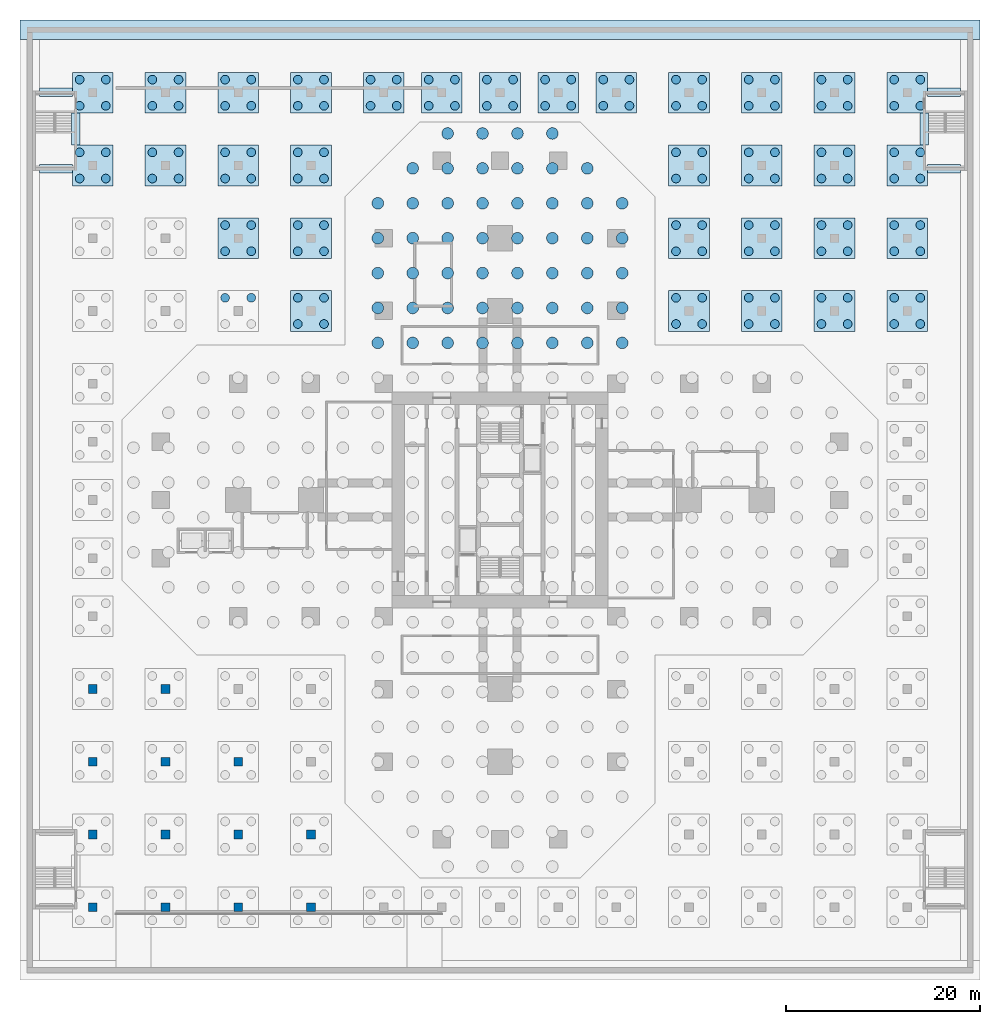
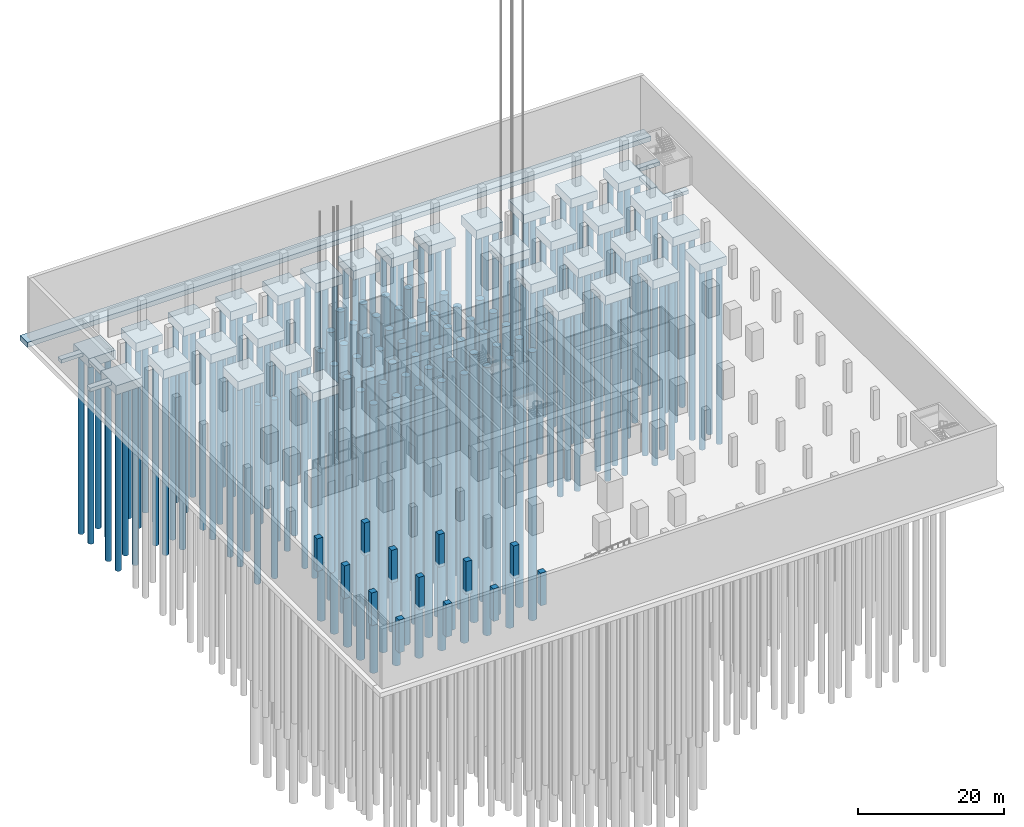
# One storey, part 3 of 31: 180 piles, 39 footings, 13 columns.
"""IFC4 building model written with IfcOpenShell, lengths in metres."""

from ifc_helpers import new_model, si_unit, direction, frame, origin, origin_2d, place, context, subcontext, project, spatial, rectangle, circle, extrude, material, layer, layer_set, material_profile, profile_set, type_object, element, save


model = new_model("IFC4")

# Units and contexts
model_context = context("Model", 3, precision=1e-05, world=origin(), true_north=direction((0.0, 1.0)))
body_context = subcontext(model_context, "Body", "Model", "MODEL_VIEW")
ifc_project = project(units=[si_unit("LENGTHUNIT", "METRE"), si_unit("AREAUNIT", "SQUARE_METRE"), si_unit("VOLUMEUNIT", "CUBIC_METRE"), si_unit("PLANEANGLEUNIT", "RADIAN"), si_unit("MASSUNIT", "GRAM", prefix="KILO")], contexts=[model_context])

# Site, building, storey
site_placement = place(None, origin())
site = spatial("IfcSite", under=ifc_project, at=site_placement, CompositionType="ELEMENT")
building_placement = place(site_placement, origin())
building = spatial("IfcBuilding", under=site, at=building_placement, Name="Mizan Broadcast Tower", CompositionType="ELEMENT")
storey_placement = place(building_placement, frame((0.0, 0.0, -10.0)))
storey = spatial("IfcBuildingStorey", under=building, at=storey_placement, Name="B2", CompositionType="ELEMENT", Elevation=-10.0)

# Piles
ifc_material_1 = material(Name="Concrete C40/50", Category="concrete")
ifc_material_profile_1 = material_profile(ifc_material_1, circle(Radius=0.60009765625, at=origin_2d()), Name="D1200")
ifc_profile_set_1 = profile_set([ifc_material_profile_1], Name="Concrete C40/50")
pile_type_1 = type_object("IfcPileType", Name="BORED PILE D1200", PredefinedType="BORED", material=ifc_profile_set_1)
for number, where, z_axis, x_axis, name in (
    (1, (-12.60009765625, 16.199951171875, -4.5), (0.0, 0.0, -1.0), (1.0, 0.0, 0.0), "Bored pile P1-215"),
    (2, (-9.0, 16.199951171875, -4.5), (0.0, 0.0, -1.0), (1.0, 0.0, 0.0), "Bored pile P1-216"),
    (3, (-5.39990234375, 16.199951171875, -4.5), (0.0, 0.0, -1.0), (1.0, 0.0, 0.0), "Bored pile P1-217"),
    (4, (-1.800048828125, 16.199951171875, -4.5), (0.0, 0.0, -1.0), (1.0, 0.0, 0.0), "Bored pile P1-218"),
    (5, (1.800048828125, 16.199951171875, -4.5), (0.0, 0.0, -1.0), (1.0, 0.0, 0.0), "Bored pile P1-219"),
    (6, (5.39990234375, 16.199951171875, -4.5), (0.0, 0.0, -1.0), (1.0, 0.0, 0.0), "Bored pile P1-220"),
    (7, (9.0, 16.199951171875, -4.5), (0.0, 0.0, -1.0), (1.0, 0.0, 0.0), "Bored pile P1-221"),
    (8, (12.60009765625, 16.199951171875, -4.5), (0.0, 0.0, -1.0), (1.0, 0.0, 0.0), "Bored pile P1-222"),
    (9, (-12.60009765625, 19.800048828125, -4.5), (0.0, 0.0, -1.0), (1.0, 0.0, 0.0), "Bored pile P1-223"),
    (10, (-9.0, 19.800048828125, -4.5), (0.0, 0.0, -1.0), (1.0, 0.0, 0.0), "Bored pile P1-224"),
    (11, (-5.39990234375, 19.800048828125, -4.5), (0.0, 0.0, -1.0), (1.0, 0.0, 0.0), "Bored pile P1-225"),
    (12, (-1.800048828125, 19.800048828125, -4.5), (0.0, 0.0, -1.0), (1.0, 0.0, 0.0), "Bored pile P1-226"),
    (13, (1.800048828125, 19.800048828125, -4.5), (0.0, 0.0, -1.0), (1.0, 0.0, 0.0), "Bored pile P1-227"),
    (14, (5.39990234375, 19.800048828125, -4.5), (0.0, 0.0, -1.0), (1.0, 0.0, 0.0), "Bored pile P1-228"),
    (15, (9.0, 19.800048828125, -4.5), (0.0, 0.0, -1.0), (1.0, 0.0, 0.0), "Bored pile P1-229"),
    (16, (12.60009765625, 19.800048828125, -4.5), (0.0, 0.0, -1.0), (1.0, 0.0, 0.0), "Bored pile P1-230"),
    (17, (-12.60009765625, 23.39990234375, -4.5), (0.0, 0.0, -1.0), (1.0, 0.0, 0.0), "Bored pile P1-231"),
    (18, (-9.0, 23.39990234375, -4.5), (0.0, 0.0, -1.0), (1.0, 0.0, 0.0), "Bored pile P1-232"),
    (19, (-5.39990234375, 23.39990234375, -4.5), (0.0, 0.0, -1.0), (1.0, 0.0, 0.0), "Bored pile P1-233"),
    (20, (-1.800048828125, 23.39990234375, -4.5), (0.0, 0.0, -1.0), (1.0, 0.0, 0.0), "Bored pile P1-234"),
    (21, (1.800048828125, 23.39990234375, -4.5), (0.0, 0.0, -1.0), (1.0, 0.0, 0.0), "Bored pile P1-235"),
    (22, (5.39990234375, 23.39990234375, -4.5), (0.0, 0.0, -1.0), (1.0, 0.0, 0.0), "Bored pile P1-236"),
    (23, (9.0, 23.39990234375, -4.5), (0.0, 0.0, -1.0), (1.0, 0.0, 0.0), "Bored pile P1-237"),
    (24, (12.60009765625, 23.39990234375, -4.5), (0.0, 0.0, -1.0), (1.0, 0.0, 0.0), "Bored pile P1-238"),
    (25, (-12.60009765625, 27.0, -4.5), (0.0, 0.0, -1.0), (1.0, 0.0, 0.0), "Bored pile P1-239"),
    (26, (-9.0, 27.0, -4.5), (0.0, 0.0, -1.0), (1.0, 0.0, 0.0), "Bored pile P1-240"),
    (27, (-5.39990234375, 27.0, -4.5), (0.0, 0.0, -1.0), (1.0, 0.0, 0.0), "Bored pile P1-241"),
    (28, (-1.800048828125, 27.0, -4.5), (0.0, 0.0, -1.0), (1.0, 0.0, 0.0), "Bored pile P1-242"),
    (29, (1.800048828125, 27.0, -4.5), (0.0, 0.0, -1.0), (1.0, 0.0, 0.0), "Bored pile P1-243"),
    (30, (5.39990234375, 27.0, -4.5), (0.0, 0.0, -1.0), (1.0, 0.0, 0.0), "Bored pile P1-244"),
    (31, (9.0, 27.0, -4.5), (0.0, 0.0, -1.0), (1.0, 0.0, 0.0), "Bored pile P1-245"),
    (32, (12.60009765625, 27.0, -4.5), (0.0, 0.0, -1.0), (1.0, 0.0, 0.0), "Bored pile P1-246"),
    (33, (-12.60009765625, 30.60009765625, -4.5), (0.0, 0.0, -1.0), (1.0, 0.0, 0.0), "Bored pile P1-247"),
    (34, (-9.0, 30.60009765625, -4.5), (0.0, 0.0, -1.0), (1.0, 0.0, 0.0), "Bored pile P1-248"),
    (35, (-5.39990234375, 30.60009765625, -4.5), (0.0, 0.0, -1.0), (1.0, 0.0, 0.0), "Bored pile P1-249"),
    (36, (-1.800048828125, 30.60009765625, -4.5), (0.0, 0.0, -1.0), (1.0, 0.0, 0.0), "Bored pile P1-250"),
    (37, (1.800048828125, 30.60009765625, -4.5), (0.0, 0.0, -1.0), (1.0, 0.0, 0.0), "Bored pile P1-251"),
    (38, (5.39990234375, 30.60009765625, -4.5), (0.0, 0.0, -1.0), (1.0, 0.0, 0.0), "Bored pile P1-252"),
    (39, (9.0, 30.60009765625, -4.5), (0.0, 0.0, -1.0), (1.0, 0.0, 0.0), "Bored pile P1-253"),
    (40, (12.60009765625, 30.60009765625, -4.5), (0.0, 0.0, -1.0), (1.0, 0.0, 0.0), "Bored pile P1-254"),
    (41, (-9.0, 34.199951171875, -4.5), (0.0, 0.0, -1.0), (1.0, 0.0, 0.0), "Bored pile P1-255"),
    (42, (-5.39990234375, 34.199951171875, -4.5), (0.0, 0.0, -1.0), (1.0, 0.0, 0.0), "Bored pile P1-256"),
    (43, (-1.800048828125, 34.199951171875, -4.5), (0.0, 0.0, -1.0), (1.0, 0.0, 0.0), "Bored pile P1-257"),
    (44, (1.800048828125, 34.199951171875, -4.5), (0.0, 0.0, -1.0), (1.0, 0.0, 0.0), "Bored pile P1-258"),
    (45, (5.39990234375, 34.199951171875, -4.5), (0.0, 0.0, -1.0), (1.0, 0.0, 0.0), "Bored pile P1-259"),
    (46, (9.0, 34.199951171875, -4.5), (0.0, 0.0, -1.0), (1.0, 0.0, 0.0), "Bored pile P1-260"),
    (47, (-5.39990234375, 37.800048828125, -4.5), (0.0, 0.0, -1.0), (1.0, 0.0, 0.0), "Bored pile P1-261"),
    (48, (-1.800048828125, 37.800048828125, -4.5), (0.0, 0.0, -1.0), (1.0, 0.0, 0.0), "Bored pile P1-262"),
    (49, (1.800048828125, 37.800048828125, -4.5), (0.0, 0.0, -1.0), (1.0, 0.0, 0.0), "Bored pile P1-263"),
    (50, (5.39990234375, 37.800048828125, -4.5), (0.0, 0.0, -1.0), (1.0, 0.0, 0.0), "Bored pile P1-264"),
):
    element("IfcPile", number, at=place(storey_placement, frame(where, z_axis=z_axis, x_axis=x_axis)), inside=storey, type_object=pile_type_1, Name=name, PredefinedType="BORED", context=body_context, shape_type="SweptSolid", body=[
        extrude(circle(Radius=0.60009765625, at=origin_2d()), origin(), (0.0, 0.0, 1.0), 45.0),
    ])
ifc_material_2 = material(Name="Concrete C40/50", Category="concrete")
ifc_material_profile_2 = material_profile(ifc_material_2, circle(Radius=0.449951171875, at=origin_2d()), Name="D900")
ifc_profile_set_2 = profile_set([ifc_material_profile_2], Name="Concrete C40/50")
pile_type_2 = type_object("IfcPileType", Name="BORED PILE D900", PredefinedType="BORED", material=ifc_profile_set_2)
for number, where, z_axis, x_axis, name in (
    (51, (-25.64990234375, 20.85009765625, -2.0), (0.0, 0.0, -1.0), (1.0, 0.0, 0.0), "Bored pile P2 under cap at -27, 19.5"),
    (52, (-28.35009765625, 20.85009765625, -2.0), (0.0, 0.0, -1.0), (1.0, 0.0, 0.0), "Bored pile P2 under cap at -27, 19.5"),
    (53, (-20.85009765625, 18.14990234375, -2.0), (0.0, 0.0, -1.0), (1.0, 0.0, 0.0), "Bored pile P2 under cap at -19.5, 19.5"),
    (54, (-18.14990234375, 18.14990234375, -2.0), (0.0, 0.0, -1.0), (1.0, 0.0, 0.0), "Bored pile P2 under cap at -19.5, 19.5"),
    (55, (-18.14990234375, 20.85009765625, -2.0), (0.0, 0.0, -1.0), (1.0, 0.0, 0.0), "Bored pile P2 under cap at -19.5, 19.5"),
    (56, (-20.85009765625, 20.85009765625, -2.0), (0.0, 0.0, -1.0), (1.0, 0.0, 0.0), "Bored pile P2 under cap at -19.5, 19.5"),
    (57, (18.14990234375, 18.14990234375, -2.0), (0.0, 0.0, -1.0), (1.0, 0.0, 0.0), "Bored pile P2 under cap at 19.5, 19.5"),
    (58, (20.85009765625, 18.14990234375, -2.0), (0.0, 0.0, -1.0), (1.0, 0.0, 0.0), "Bored pile P2 under cap at 19.5, 19.5"),
    (59, (20.85009765625, 20.85009765625, -2.0), (0.0, 0.0, -1.0), (1.0, 0.0, 0.0), "Bored pile P2 under cap at 19.5, 19.5"),
    (60, (18.14990234375, 20.85009765625, -2.0), (0.0, 0.0, -1.0), (1.0, 0.0, 0.0), "Bored pile P2 under cap at 19.5, 19.5"),
    (61, (25.64990234375, 18.14990234375, -2.0), (0.0, 0.0, -1.0), (1.0, 0.0, 0.0), "Bored pile P2 under cap at 27, 19.5"),
    (62, (28.35009765625, 18.14990234375, -2.0), (0.0, 0.0, -1.0), (1.0, 0.0, 0.0), "Bored pile P2 under cap at 27, 19.5"),
    (63, (28.35009765625, 20.85009765625, -2.0), (0.0, 0.0, -1.0), (1.0, 0.0, 0.0), "Bored pile P2 under cap at 27, 19.5"),
    (64, (25.64990234375, 20.85009765625, -2.0), (0.0, 0.0, -1.0), (1.0, 0.0, 0.0), "Bored pile P2 under cap at 27, 19.5"),
    (65, (33.14990234375, 18.14990234375, -2.0), (0.0, 0.0, -1.0), (1.0, 0.0, 0.0), "Bored pile P2 under cap at 34.5, 19.5"),
    (66, (35.85009765625, 18.14990234375, -2.0), (0.0, 0.0, -1.0), (1.0, 0.0, 0.0), "Bored pile P2 under cap at 34.5, 19.5"),
    (67, (35.85009765625, 20.85009765625, -2.0), (0.0, 0.0, -1.0), (1.0, 0.0, 0.0), "Bored pile P2 under cap at 34.5, 19.5"),
    (68, (33.14990234375, 20.85009765625, -2.0), (0.0, 0.0, -1.0), (1.0, 0.0, 0.0), "Bored pile P2 under cap at 34.5, 19.5"),
    (69, (40.64990234375, 18.14990234375, -2.0), (0.0, 0.0, -1.0), (1.0, 0.0, 0.0), "Bored pile P2 under cap at 42, 19.5"),
    (70, (43.35009765625, 18.14990234375, -2.0), (0.0, 0.0, -1.0), (1.0, 0.0, 0.0), "Bored pile P2 under cap at 42, 19.5"),
    (71, (43.35009765625, 20.85009765625, -2.0), (0.0, 0.0, -1.0), (1.0, 0.0, 0.0), "Bored pile P2 under cap at 42, 19.5"),
    (72, (40.64990234375, 20.85009765625, -2.0), (0.0, 0.0, -1.0), (1.0, 0.0, 0.0), "Bored pile P2 under cap at 42, 19.5"),
    (73, (-28.35009765625, 25.64990234375, -2.0), (0.0, 0.0, -1.0), (1.0, 0.0, 0.0), "Bored pile P2 under cap at -27, 27"),
    (74, (-25.64990234375, 25.64990234375, -2.0), (0.0, 0.0, -1.0), (1.0, 0.0, 0.0), "Bored pile P2 under cap at -27, 27"),
    (75, (-25.64990234375, 28.35009765625, -2.0), (0.0, 0.0, -1.0), (1.0, 0.0, 0.0), "Bored pile P2 under cap at -27, 27"),
    (76, (-28.35009765625, 28.35009765625, -2.0), (0.0, 0.0, -1.0), (1.0, 0.0, 0.0), "Bored pile P2 under cap at -27, 27"),
    (77, (-20.85009765625, 25.64990234375, -2.0), (0.0, 0.0, -1.0), (1.0, 0.0, 0.0), "Bored pile P2 under cap at -19.5, 27"),
    (78, (-18.14990234375, 25.64990234375, -2.0), (0.0, 0.0, -1.0), (1.0, 0.0, 0.0), "Bored pile P2 under cap at -19.5, 27"),
    (79, (-18.14990234375, 28.35009765625, -2.0), (0.0, 0.0, -1.0), (1.0, 0.0, 0.0), "Bored pile P2 under cap at -19.5, 27"),
    (80, (-20.85009765625, 28.35009765625, -2.0), (0.0, 0.0, -1.0), (1.0, 0.0, 0.0), "Bored pile P2 under cap at -19.5, 27"),
    (81, (18.14990234375, 25.64990234375, -2.0), (0.0, 0.0, -1.0), (1.0, 0.0, 0.0), "Bored pile P2 under cap at 19.5, 27"),
    (82, (20.85009765625, 25.64990234375, -2.0), (0.0, 0.0, -1.0), (1.0, 0.0, 0.0), "Bored pile P2 under cap at 19.5, 27"),
    (83, (20.85009765625, 28.35009765625, -2.0), (0.0, 0.0, -1.0), (1.0, 0.0, 0.0), "Bored pile P2 under cap at 19.5, 27"),
    (84, (18.14990234375, 28.35009765625, -2.0), (0.0, 0.0, -1.0), (1.0, 0.0, 0.0), "Bored pile P2 under cap at 19.5, 27"),
    (85, (25.64990234375, 25.64990234375, -2.0), (0.0, 0.0, -1.0), (1.0, 0.0, 0.0), "Bored pile P2 under cap at 27, 27"),
    (86, (28.35009765625, 25.64990234375, -2.0), (0.0, 0.0, -1.0), (1.0, 0.0, 0.0), "Bored pile P2 under cap at 27, 27"),
    (87, (28.35009765625, 28.35009765625, -2.0), (0.0, 0.0, -1.0), (1.0, 0.0, 0.0), "Bored pile P2 under cap at 27, 27"),
    (88, (25.64990234375, 28.35009765625, -2.0), (0.0, 0.0, -1.0), (1.0, 0.0, 0.0), "Bored pile P2 under cap at 27, 27"),
    (89, (33.14990234375, 25.64990234375, -2.0), (0.0, 0.0, -1.0), (1.0, 0.0, 0.0), "Bored pile P2 under cap at 34.5, 27"),
    (90, (35.85009765625, 25.64990234375, -2.0), (0.0, 0.0, -1.0), (1.0, 0.0, 0.0), "Bored pile P2 under cap at 34.5, 27"),
    (91, (35.85009765625, 28.35009765625, -2.0), (0.0, 0.0, -1.0), (1.0, 0.0, 0.0), "Bored pile P2 under cap at 34.5, 27"),
    (92, (33.14990234375, 28.35009765625, -2.0), (0.0, 0.0, -1.0), (1.0, 0.0, 0.0), "Bored pile P2 under cap at 34.5, 27"),
    (93, (40.64990234375, 25.64990234375, -2.0), (0.0, 0.0, -1.0), (1.0, 0.0, 0.0), "Bored pile P2 under cap at 42, 27"),
    (94, (43.35009765625, 25.64990234375, -2.0), (0.0, 0.0, -1.0), (1.0, 0.0, 0.0), "Bored pile P2 under cap at 42, 27"),
    (95, (43.35009765625, 28.35009765625, -2.0), (0.0, 0.0, -1.0), (1.0, 0.0, 0.0), "Bored pile P2 under cap at 42, 27"),
    (96, (40.64990234375, 28.35009765625, -2.0), (0.0, 0.0, -1.0), (1.0, 0.0, 0.0), "Bored pile P2 under cap at 42, 27"),
    (97, (-43.35009765625, 33.14990234375, -2.0), (0.0, 0.0, -1.0), (1.0, 0.0, 0.0), "Bored pile P2 under cap at -42, 34.5"),
    (98, (-40.64990234375, 33.14990234375, -2.0), (0.0, 0.0, -1.0), (1.0, 0.0, 0.0), "Bored pile P2 under cap at -42, 34.5"),
    (99, (-40.64990234375, 35.85009765625, -2.0), (0.0, 0.0, -1.0), (1.0, 0.0, 0.0), "Bored pile P2 under cap at -42, 34.5"),
    (100, (-43.35009765625, 35.85009765625, -2.0), (0.0, 0.0, -1.0), (1.0, 0.0, 0.0), "Bored pile P2 under cap at -42, 34.5"),
    (101, (-35.85009765625, 33.14990234375, -2.0), (0.0, 0.0, -1.0), (1.0, 0.0, 0.0), "Bored pile P2 under cap at -34.5, 34.5"),
    (102, (-33.14990234375, 33.14990234375, -2.0), (0.0, 0.0, -1.0), (1.0, 0.0, 0.0), "Bored pile P2 under cap at -34.5, 34.5"),
    (103, (-33.14990234375, 35.85009765625, -2.0), (0.0, 0.0, -1.0), (1.0, 0.0, 0.0), "Bored pile P2 under cap at -34.5, 34.5"),
    (104, (-35.85009765625, 35.85009765625, -2.0), (0.0, 0.0, -1.0), (1.0, 0.0, 0.0), "Bored pile P2 under cap at -34.5, 34.5"),
    (105, (-28.35009765625, 33.14990234375, -2.0), (0.0, 0.0, -1.0), (1.0, 0.0, 0.0), "Bored pile P2 under cap at -27, 34.5"),
    (106, (-25.64990234375, 33.14990234375, -2.0), (0.0, 0.0, -1.0), (1.0, 0.0, 0.0), "Bored pile P2 under cap at -27, 34.5"),
    (107, (-25.64990234375, 35.85009765625, -2.0), (0.0, 0.0, -1.0), (1.0, 0.0, 0.0), "Bored pile P2 under cap at -27, 34.5"),
    (108, (-28.35009765625, 35.85009765625, -2.0), (0.0, 0.0, -1.0), (1.0, 0.0, 0.0), "Bored pile P2 under cap at -27, 34.5"),
    (109, (-20.85009765625, 33.14990234375, -2.0), (0.0, 0.0, -1.0), (1.0, 0.0, 0.0), "Bored pile P2 under cap at -19.5, 34.5"),
    (110, (-18.14990234375, 33.14990234375, -2.0), (0.0, 0.0, -1.0), (1.0, 0.0, 0.0), "Bored pile P2 under cap at -19.5, 34.5"),
    (111, (-18.14990234375, 35.85009765625, -2.0), (0.0, 0.0, -1.0), (1.0, 0.0, 0.0), "Bored pile P2 under cap at -19.5, 34.5"),
    (112, (-20.85009765625, 35.85009765625, -2.0), (0.0, 0.0, -1.0), (1.0, 0.0, 0.0), "Bored pile P2 under cap at -19.5, 34.5"),
    (113, (18.14990234375, 33.14990234375, -2.0), (0.0, 0.0, -1.0), (1.0, 0.0, 0.0), "Bored pile P2 under cap at 19.5, 34.5"),
    (114, (20.85009765625, 33.14990234375, -2.0), (0.0, 0.0, -1.0), (1.0, 0.0, 0.0), "Bored pile P2 under cap at 19.5, 34.5"),
    (115, (20.85009765625, 35.85009765625, -2.0), (0.0, 0.0, -1.0), (1.0, 0.0, 0.0), "Bored pile P2 under cap at 19.5, 34.5"),
    (116, (18.14990234375, 35.85009765625, -2.0), (0.0, 0.0, -1.0), (1.0, 0.0, 0.0), "Bored pile P2 under cap at 19.5, 34.5"),
    (117, (25.64990234375, 33.14990234375, -2.0), (0.0, 0.0, -1.0), (1.0, 0.0, 0.0), "Bored pile P2 under cap at 27, 34.5"),
    (118, (28.35009765625, 33.14990234375, -2.0), (0.0, 0.0, -1.0), (1.0, 0.0, 0.0), "Bored pile P2 under cap at 27, 34.5"),
    (119, (28.35009765625, 35.85009765625, -2.0), (0.0, 0.0, -1.0), (1.0, 0.0, 0.0), "Bored pile P2 under cap at 27, 34.5"),
    (120, (25.64990234375, 35.85009765625, -2.0), (0.0, 0.0, -1.0), (1.0, 0.0, 0.0), "Bored pile P2 under cap at 27, 34.5"),
    (121, (33.14990234375, 33.14990234375, -2.0), (0.0, 0.0, -1.0), (1.0, 0.0, 0.0), "Bored pile P2 under cap at 34.5, 34.5"),
    (122, (35.85009765625, 33.14990234375, -2.0), (0.0, 0.0, -1.0), (1.0, 0.0, 0.0), "Bored pile P2 under cap at 34.5, 34.5"),
    (123, (35.85009765625, 35.85009765625, -2.0), (0.0, 0.0, -1.0), (1.0, 0.0, 0.0), "Bored pile P2 under cap at 34.5, 34.5"),
    (124, (33.14990234375, 35.85009765625, -2.0), (0.0, 0.0, -1.0), (1.0, 0.0, 0.0), "Bored pile P2 under cap at 34.5, 34.5"),
    (125, (40.64990234375, 33.14990234375, -2.0), (0.0, 0.0, -1.0), (1.0, 0.0, 0.0), "Bored pile P2 under cap at 42, 34.5"),
    (126, (43.35009765625, 33.14990234375, -2.0), (0.0, 0.0, -1.0), (1.0, 0.0, 0.0), "Bored pile P2 under cap at 42, 34.5"),
    (127, (43.35009765625, 35.85009765625, -2.0), (0.0, 0.0, -1.0), (1.0, 0.0, 0.0), "Bored pile P2 under cap at 42, 34.5"),
    (128, (40.64990234375, 35.85009765625, -2.0), (0.0, 0.0, -1.0), (1.0, 0.0, 0.0), "Bored pile P2 under cap at 42, 34.5"),
    (129, (-43.35009765625, 40.64990234375, -2.0), (0.0, 0.0, -1.0), (1.0, 0.0, 0.0), "Bored pile P2 under cap at -42, 42"),
    (130, (-40.64990234375, 40.64990234375, -2.0), (0.0, 0.0, -1.0), (1.0, 0.0, 0.0), "Bored pile P2 under cap at -42, 42"),
    (131, (-40.64990234375, 43.35009765625, -2.0), (0.0, 0.0, -1.0), (1.0, 0.0, 0.0), "Bored pile P2 under cap at -42, 42"),
    (132, (-43.35009765625, 43.35009765625, -2.0), (0.0, 0.0, -1.0), (1.0, 0.0, 0.0), "Bored pile P2 under cap at -42, 42"),
    (133, (-35.85009765625, 40.64990234375, -2.0), (0.0, 0.0, -1.0), (1.0, 0.0, 0.0), "Bored pile P2 under cap at -34.5, 42"),
    (134, (-33.14990234375, 40.64990234375, -2.0), (0.0, 0.0, -1.0), (1.0, 0.0, 0.0), "Bored pile P2 under cap at -34.5, 42"),
    (135, (-33.14990234375, 43.35009765625, -2.0), (0.0, 0.0, -1.0), (1.0, 0.0, 0.0), "Bored pile P2 under cap at -34.5, 42"),
    (136, (-35.85009765625, 43.35009765625, -2.0), (0.0, 0.0, -1.0), (1.0, 0.0, 0.0), "Bored pile P2 under cap at -34.5, 42"),
    (137, (-28.35009765625, 40.64990234375, -2.0), (0.0, 0.0, -1.0), (1.0, 0.0, 0.0), "Bored pile P2 under cap at -27, 42"),
    (138, (-25.64990234375, 40.64990234375, -2.0), (0.0, 0.0, -1.0), (1.0, 0.0, 0.0), "Bored pile P2 under cap at -27, 42"),
    (139, (-25.64990234375, 43.35009765625, -2.0), (0.0, 0.0, -1.0), (1.0, 0.0, 0.0), "Bored pile P2 under cap at -27, 42"),
    (140, (-28.35009765625, 43.35009765625, -2.0), (0.0, 0.0, -1.0), (1.0, 0.0, 0.0), "Bored pile P2 under cap at -27, 42"),
    (141, (-20.85009765625, 40.64990234375, -2.0), (0.0, 0.0, -1.0), (1.0, 0.0, 0.0), "Bored pile P2 under cap at -19.5, 42"),
    (142, (-18.14990234375, 40.64990234375, -2.0), (0.0, 0.0, -1.0), (1.0, 0.0, 0.0), "Bored pile P2 under cap at -19.5, 42"),
    (143, (-18.14990234375, 43.35009765625, -2.0), (0.0, 0.0, -1.0), (1.0, 0.0, 0.0), "Bored pile P2 under cap at -19.5, 42"),
    (144, (-20.85009765625, 43.35009765625, -2.0), (0.0, 0.0, -1.0), (1.0, 0.0, 0.0), "Bored pile P2 under cap at -19.5, 42"),
    (145, (-13.35009765625, 40.64990234375, -2.0), (0.0, 0.0, -1.0), (1.0, 0.0, 0.0), "Bored pile P2 under cap at -12, 42"),
    (146, (-10.64990234375, 40.64990234375, -2.0), (0.0, 0.0, -1.0), (1.0, 0.0, 0.0), "Bored pile P2 under cap at -12, 42"),
    (147, (-10.64990234375, 43.35009765625, -2.0), (0.0, 0.0, -1.0), (1.0, 0.0, 0.0), "Bored pile P2 under cap at -12, 42"),
    (148, (-13.35009765625, 43.35009765625, -2.0), (0.0, 0.0, -1.0), (1.0, 0.0, 0.0), "Bored pile P2 under cap at -12, 42"),
    (149, (-7.35009765625, 40.64990234375, -2.0), (0.0, 0.0, -1.0), (1.0, 0.0, 0.0), "Bored pile P2 under cap at -6, 42"),
    (150, (-4.64990234375, 40.64990234375, -2.0), (0.0, 0.0, -1.0), (1.0, 0.0, 0.0), "Bored pile P2 under cap at -6, 42"),
    (151, (-4.64990234375, 43.35009765625, -2.0), (0.0, 0.0, -1.0), (1.0, 0.0, 0.0), "Bored pile P2 under cap at -6, 42"),
    (152, (-7.35009765625, 43.35009765625, -2.0), (0.0, 0.0, -1.0), (1.0, 0.0, 0.0), "Bored pile P2 under cap at -6, 42"),
    (153, (-1.35009765625, 40.64990234375, -2.0), (0.0, 0.0, -1.0), (1.0, 0.0, 0.0), "Bored pile P2 under cap at 0, 42"),
    (154, (1.35009765625, 40.64990234375, -2.0), (0.0, 0.0, -1.0), (1.0, 0.0, 0.0), "Bored pile P2 under cap at 0, 42"),
    (155, (1.35009765625, 43.35009765625, -2.0), (0.0, 0.0, -1.0), (1.0, 0.0, 0.0), "Bored pile P2 under cap at 0, 42"),
    (156, (-1.35009765625, 43.35009765625, -2.0), (0.0, 0.0, -1.0), (1.0, 0.0, 0.0), "Bored pile P2 under cap at 0, 42"),
    (157, (4.64990234375, 40.64990234375, -2.0), (0.0, 0.0, -1.0), (1.0, 0.0, 0.0), "Bored pile P2 under cap at 6, 42"),
    (158, (7.35009765625, 40.64990234375, -2.0), (0.0, 0.0, -1.0), (1.0, 0.0, 0.0), "Bored pile P2 under cap at 6, 42"),
    (159, (7.35009765625, 43.35009765625, -2.0), (0.0, 0.0, -1.0), (1.0, 0.0, 0.0), "Bored pile P2 under cap at 6, 42"),
    (160, (4.64990234375, 43.35009765625, -2.0), (0.0, 0.0, -1.0), (1.0, 0.0, 0.0), "Bored pile P2 under cap at 6, 42"),
    (161, (10.64990234375, 40.64990234375, -2.0), (0.0, 0.0, -1.0), (1.0, 0.0, 0.0), "Bored pile P2 under cap at 12, 42"),
    (162, (13.35009765625, 40.64990234375, -2.0), (0.0, 0.0, -1.0), (1.0, 0.0, 0.0), "Bored pile P2 under cap at 12, 42"),
    (163, (13.35009765625, 43.35009765625, -2.0), (0.0, 0.0, -1.0), (1.0, 0.0, 0.0), "Bored pile P2 under cap at 12, 42"),
    (164, (10.64990234375, 43.35009765625, -2.0), (0.0, 0.0, -1.0), (1.0, 0.0, 0.0), "Bored pile P2 under cap at 12, 42"),
    (165, (18.14990234375, 40.64990234375, -2.0), (0.0, 0.0, -1.0), (1.0, 0.0, 0.0), "Bored pile P2 under cap at 19.5, 42"),
    (166, (20.85009765625, 40.64990234375, -2.0), (0.0, 0.0, -1.0), (1.0, 0.0, 0.0), "Bored pile P2 under cap at 19.5, 42"),
    (167, (20.85009765625, 43.35009765625, -2.0), (0.0, 0.0, -1.0), (1.0, 0.0, 0.0), "Bored pile P2 under cap at 19.5, 42"),
    (168, (18.14990234375, 43.35009765625, -2.0), (0.0, 0.0, -1.0), (1.0, 0.0, 0.0), "Bored pile P2 under cap at 19.5, 42"),
    (169, (25.64990234375, 40.64990234375, -2.0), (0.0, 0.0, -1.0), (1.0, 0.0, 0.0), "Bored pile P2 under cap at 27, 42"),
    (170, (28.35009765625, 40.64990234375, -2.0), (0.0, 0.0, -1.0), (1.0, 0.0, 0.0), "Bored pile P2 under cap at 27, 42"),
    (171, (28.35009765625, 43.35009765625, -2.0), (0.0, 0.0, -1.0), (1.0, 0.0, 0.0), "Bored pile P2 under cap at 27, 42"),
    (172, (25.64990234375, 43.35009765625, -2.0), (0.0, 0.0, -1.0), (1.0, 0.0, 0.0), "Bored pile P2 under cap at 27, 42"),
    (173, (33.14990234375, 40.64990234375, -2.0), (0.0, 0.0, -1.0), (1.0, 0.0, 0.0), "Bored pile P2 under cap at 34.5, 42"),
    (174, (35.85009765625, 40.64990234375, -2.0), (0.0, 0.0, -1.0), (1.0, 0.0, 0.0), "Bored pile P2 under cap at 34.5, 42"),
    (175, (35.85009765625, 43.35009765625, -2.0), (0.0, 0.0, -1.0), (1.0, 0.0, 0.0), "Bored pile P2 under cap at 34.5, 42"),
    (176, (33.14990234375, 43.35009765625, -2.0), (0.0, 0.0, -1.0), (1.0, 0.0, 0.0), "Bored pile P2 under cap at 34.5, 42"),
    (177, (40.64990234375, 40.64990234375, -2.0), (0.0, 0.0, -1.0), (1.0, 0.0, 0.0), "Bored pile P2 under cap at 42, 42"),
    (178, (43.35009765625, 40.64990234375, -2.0), (0.0, 0.0, -1.0), (1.0, 0.0, 0.0), "Bored pile P2 under cap at 42, 42"),
    (179, (43.35009765625, 43.35009765625, -2.0), (0.0, 0.0, -1.0), (1.0, 0.0, 0.0), "Bored pile P2 under cap at 42, 42"),
    (180, (40.64990234375, 43.35009765625, -2.0), (0.0, 0.0, -1.0), (1.0, 0.0, 0.0), "Bored pile P2 under cap at 42, 42"),
):
    element("IfcPile", number, at=place(storey_placement, frame(where, z_axis=z_axis, x_axis=x_axis)), inside=storey, type_object=pile_type_2, Name=name, PredefinedType="BORED", context=body_context, shape_type="SweptSolid", body=[
        extrude(circle(Radius=0.449951171875, at=origin_2d()), origin(), (0.0, 0.0, 1.0), 30.0),
    ])

# Footings
ifc_material_3 = material(Name="Concrete C40/50", Category="concrete")
ifc_layer_1 = layer(ifc_material_3, 1.5)
ifc_layer_set_1 = layer_set([ifc_layer_1], Name="Concrete C40/50")
footing_type_1 = type_object("IfcFootingType", Name="PILE CAP PC4 4200x4200", PredefinedType="PILE_CAP", material=ifc_layer_set_1)
for number, where, z_axis, x_axis, name in (
    (181, (-19.5, 19.5, -2.0), (0.0, 0.0, 1.0), (1.0, 0.0, 0.0), "Pile cap PC4 at -19.5, 19.5"),
    (182, (19.5, 19.5, -2.0), (0.0, 0.0, 1.0), (1.0, 0.0, 0.0), "Pile cap PC4 at 19.5, 19.5"),
    (183, (27.0, 19.5, -2.0), (0.0, 0.0, 1.0), (1.0, 0.0, 0.0), "Pile cap PC4 at 27, 19.5"),
    (184, (34.5, 19.5, -2.0), (0.0, 0.0, 1.0), (1.0, 0.0, 0.0), "Pile cap PC4 at 34.5, 19.5"),
    (185, (42.0, 19.5, -2.0), (0.0, 0.0, 1.0), (1.0, 0.0, 0.0), "Pile cap PC4 at 42, 19.5"),
    (186, (-27.0, 27.0, -2.0), (0.0, 0.0, 1.0), (1.0, 0.0, 0.0), "Pile cap PC4 at -27, 27"),
    (187, (-19.5, 27.0, -2.0), (0.0, 0.0, 1.0), (1.0, 0.0, 0.0), "Pile cap PC4 at -19.5, 27"),
    (188, (19.5, 27.0, -2.0), (0.0, 0.0, 1.0), (1.0, 0.0, 0.0), "Pile cap PC4 at 19.5, 27"),
    (189, (27.0, 27.0, -2.0), (0.0, 0.0, 1.0), (1.0, 0.0, 0.0), "Pile cap PC4 at 27, 27"),
    (190, (34.5, 27.0, -2.0), (0.0, 0.0, 1.0), (1.0, 0.0, 0.0), "Pile cap PC4 at 34.5, 27"),
    (191, (42.0, 27.0, -2.0), (0.0, 0.0, 1.0), (1.0, 0.0, 0.0), "Pile cap PC4 at 42, 27"),
    (192, (-42.0, 34.5, -2.0), (0.0, 0.0, 1.0), (1.0, 0.0, 0.0), "Pile cap PC4 at -42, 34.5"),
    (193, (-34.5, 34.5, -2.0), (0.0, 0.0, 1.0), (1.0, 0.0, 0.0), "Pile cap PC4 at -34.5, 34.5"),
    (194, (-27.0, 34.5, -2.0), (0.0, 0.0, 1.0), (1.0, 0.0, 0.0), "Pile cap PC4 at -27, 34.5"),
    (195, (-19.5, 34.5, -2.0), (0.0, 0.0, 1.0), (1.0, 0.0, 0.0), "Pile cap PC4 at -19.5, 34.5"),
    (196, (19.5, 34.5, -2.0), (0.0, 0.0, 1.0), (1.0, 0.0, 0.0), "Pile cap PC4 at 19.5, 34.5"),
    (197, (27.0, 34.5, -2.0), (0.0, 0.0, 1.0), (1.0, 0.0, 0.0), "Pile cap PC4 at 27, 34.5"),
    (198, (34.5, 34.5, -2.0), (0.0, 0.0, 1.0), (1.0, 0.0, 0.0), "Pile cap PC4 at 34.5, 34.5"),
    (199, (42.0, 34.5, -2.0), (0.0, 0.0, 1.0), (1.0, 0.0, 0.0), "Pile cap PC4 at 42, 34.5"),
    (200, (-42.0, 42.0, -2.0), (0.0, 0.0, 1.0), (1.0, 0.0, 0.0), "Pile cap PC4 at -42, 42"),
    (201, (-34.5, 42.0, -2.0), (0.0, 0.0, 1.0), (1.0, 0.0, 0.0), "Pile cap PC4 at -34.5, 42"),
    (202, (-27.0, 42.0, -2.0), (0.0, 0.0, 1.0), (1.0, 0.0, 0.0), "Pile cap PC4 at -27, 42"),
    (203, (-19.5, 42.0, -2.0), (0.0, 0.0, 1.0), (1.0, 0.0, 0.0), "Pile cap PC4 at -19.5, 42"),
    (204, (-12.0, 42.0, -2.0), (0.0, 0.0, 1.0), (1.0, 0.0, 0.0), "Pile cap PC4 at -12, 42"),
    (205, (-6.0, 42.0, -2.0), (0.0, 0.0, 1.0), (1.0, 0.0, 0.0), "Pile cap PC4 at -6, 42"),
    (206, (0.0, 42.0, -2.0), (0.0, 0.0, 1.0), (1.0, 0.0, 0.0), "Pile cap PC4 at 0, 42"),
    (207, (6.0, 42.0, -2.0), (0.0, 0.0, 1.0), (1.0, 0.0, 0.0), "Pile cap PC4 at 6, 42"),
    (208, (12.0, 42.0, -2.0), (0.0, 0.0, 1.0), (1.0, 0.0, 0.0), "Pile cap PC4 at 12, 42"),
    (209, (19.5, 42.0, -2.0), (0.0, 0.0, 1.0), (1.0, 0.0, 0.0), "Pile cap PC4 at 19.5, 42"),
    (210, (27.0, 42.0, -2.0), (0.0, 0.0, 1.0), (1.0, 0.0, 0.0), "Pile cap PC4 at 27, 42"),
    (211, (34.5, 42.0, -2.0), (0.0, 0.0, 1.0), (1.0, 0.0, 0.0), "Pile cap PC4 at 34.5, 42"),
    (212, (42.0, 42.0, -2.0), (0.0, 0.0, 1.0), (1.0, 0.0, 0.0), "Pile cap PC4 at 42, 42"),
):
    element("IfcFooting", number, at=place(storey_placement, frame(where, z_axis=z_axis, x_axis=x_axis)), inside=storey, type_object=footing_type_1, Name=name, PredefinedType="PILE_CAP", context=body_context, shape_type="SweptSolid", body=[
        extrude(rectangle(XDim=4.199951171875, YDim=4.199951171875, at=origin_2d()), origin(), (0.0, 0.0, 1.0), 1.5),
    ])
ifc_material_4 = material(Name="Concrete C40/50", Category="concrete")
ifc_layer_2 = layer(ifc_material_4, 0.800048828125)
ifc_layer_set_2 = layer_set([ifc_layer_2], Name="Concrete C40/50")
footing_type_2 = type_object("IfcFootingType", Name="STRIP FOOTING SF1 2000x800", PredefinedType="STRIP_FOOTING", material=ifc_layer_set_2)
footing_1_placement = place(storey_placement, frame((0.0, 48.5, -1.2998046875), z_axis=(0.0, 0.0, 1.0), x_axis=(1.0, 0.0, 0.0)))
element("IfcFooting", 213, at=footing_1_placement, inside=storey, type_object=footing_type_2, Name="Strip footing SF1 N", PredefinedType="STRIP_FOOTING", context=body_context, shape_type="SweptSolid", body=[
    extrude(rectangle(XDim=99.0, YDim=2.0, at=origin_2d()), origin(), (0.0, 0.0, 1.0), 0.800048828125),
])
ifc_material_5 = material(Name="Concrete C40/50", Category="concrete")
ifc_layer_3 = layer(ifc_material_5, 0.60009765625)
ifc_layer_set_3 = layer_set([ifc_layer_3], Name="Concrete C40/50")
footing_type_3 = type_object("IfcFootingType", Name="STRIP FOOTING SF2 900x600", PredefinedType="STRIP_FOOTING", material=ifc_layer_set_3)
footing_2_placement = place(storey_placement, frame((43.75, 38.25, -1.10009765625), z_axis=(0.0, 0.0, 1.0), x_axis=(1.0, 0.0, 0.0)))
element("IfcFooting", 214, at=footing_2_placement, inside=storey, type_object=footing_type_3, Name="Strip footing SF2 stair E I", PredefinedType="STRIP_FOOTING", context=body_context, shape_type="SweptSolid", body=[
    extrude(rectangle(XDim=0.89990234375, YDim=3.300048828125, at=origin_2d()), origin(), (0.0, 0.0, 1.0), 0.60009765625),
])
for number, where, z_axis, x_axis, name in (
    (215, (45.800048828125, 42.050048828125, -1.10009765625), (0.0, 0.0, 1.0), (1.0, 0.0, 0.0), "Strip footing SF2 stair E D"),
    (216, (45.800048828125, 34.14990234375, -1.10009765625), (0.0, 0.0, 1.0), (1.0, 0.0, 0.0), "Strip footing SF2 stair E F"),
):
    element("IfcFooting", number, at=place(storey_placement, frame(where, z_axis=z_axis, x_axis=x_axis)), inside=storey, type_object=footing_type_3, Name=name, PredefinedType="STRIP_FOOTING", context=body_context, shape_type="SweptSolid", body=[
        extrude(rectangle(XDim=3.39990234375, YDim=0.89990234375, at=origin_2d()), origin(), (0.0, 0.0, 1.0), 0.60009765625),
    ])
footing_3_placement = place(storey_placement, frame((-43.75, 38.25, -1.10009765625), z_axis=(0.0, 0.0, 1.0), x_axis=(1.0, 0.0, 0.0)))
element("IfcFooting", 217, at=footing_3_placement, inside=storey, type_object=footing_type_3, Name="Strip footing SF2 stair F I", PredefinedType="STRIP_FOOTING", context=body_context, shape_type="SweptSolid", body=[
    extrude(rectangle(XDim=0.89990234375, YDim=3.300048828125, at=origin_2d()), origin(), (0.0, 0.0, 1.0), 0.60009765625),
])
for number, where, z_axis, x_axis, name in (
    (218, (-45.800048828125, 42.050048828125, -1.10009765625), (0.0, 0.0, 1.0), (1.0, 0.0, 0.0), "Strip footing SF2 stair F D"),
    (219, (-45.800048828125, 34.14990234375, -1.10009765625), (0.0, 0.0, 1.0), (1.0, 0.0, 0.0), "Strip footing SF2 stair F F"),
):
    element("IfcFooting", number, at=place(storey_placement, frame(where, z_axis=z_axis, x_axis=x_axis)), inside=storey, type_object=footing_type_3, Name=name, PredefinedType="STRIP_FOOTING", context=body_context, shape_type="SweptSolid", body=[
        extrude(rectangle(XDim=3.39990234375, YDim=0.89990234375, at=origin_2d()), origin(), (0.0, 0.0, 1.0), 0.60009765625),
    ])

# Columns
ifc_material_6 = material(Name="Concrete C70/85", Category="concrete")
ifc_material_profile_3 = material_profile(ifc_material_6, rectangle(XDim=0.89990234375, YDim=0.89990234375, at=origin_2d()), Name="RC 900x900")
ifc_profile_set_3 = profile_set([ifc_material_profile_3], Name="Concrete C70/85")
column_type = type_object("IfcColumnType", Name="RC COLUMN 900x900 C70/85", PredefinedType="COLUMN", material=ifc_profile_set_3)
for number, where, z_axis, x_axis, name in (
    (220, (-42.0, -42.0, -0.5), (0.0, 0.0, 1.0), (1.0, 0.0, 0.0), "Basement column at -42, -42"),
    (221, (-34.5, -42.0, -0.5), (0.0, 0.0, 1.0), (1.0, 0.0, 0.0), "Basement column at -34.5, -42"),
    (222, (-27.0, -42.0, -0.5), (0.0, 0.0, 1.0), (1.0, 0.0, 0.0), "Basement column at -27, -42"),
    (223, (-19.5, -42.0, -0.5), (0.0, 0.0, 1.0), (1.0, 0.0, 0.0), "Basement column at -19.5, -42"),
    (224, (-42.0, -34.5, -0.5), (0.0, 0.0, 1.0), (1.0, 0.0, 0.0), "Basement column at -42, -34.5"),
    (225, (-34.5, -34.5, -0.5), (0.0, 0.0, 1.0), (1.0, 0.0, 0.0), "Basement column at -34.5, -34.5"),
    (226, (-27.0, -34.5, -0.5), (0.0, 0.0, 1.0), (1.0, 0.0, 0.0), "Basement column at -27, -34.5"),
    (227, (-19.5, -34.5, -0.5), (0.0, 0.0, 1.0), (1.0, 0.0, 0.0), "Basement column at -19.5, -34.5"),
    (228, (-42.0, -27.0, -0.5), (0.0, 0.0, 1.0), (1.0, 0.0, 0.0), "Basement column at -42, -27"),
    (229, (-34.5, -27.0, -0.5), (0.0, 0.0, 1.0), (1.0, 0.0, 0.0), "Basement column at -34.5, -27"),
    (230, (-27.0, -27.0, -0.5), (0.0, 0.0, 1.0), (1.0, 0.0, 0.0), "Basement column at -27, -27"),
    (231, (-42.0, -19.5, -0.5), (0.0, 0.0, 1.0), (1.0, 0.0, 0.0), "Basement column at -42, -19.5"),
    (232, (-34.5, -19.5, -0.5), (0.0, 0.0, 1.0), (1.0, 0.0, 0.0), "Basement column at -34.5, -19.5"),
):
    element("IfcColumn", number, at=place(storey_placement, frame(where, z_axis=z_axis, x_axis=x_axis)), inside=storey, type_object=column_type, Name=name, PredefinedType="COLUMN", context=body_context, shape_type="SweptSolid", body=[
        extrude(rectangle(XDim=0.89990234375, YDim=0.89990234375, at=origin_2d()), origin(), (0.0, 0.0, 1.0), 5.5),
    ])

save(model, "model.ifc")
